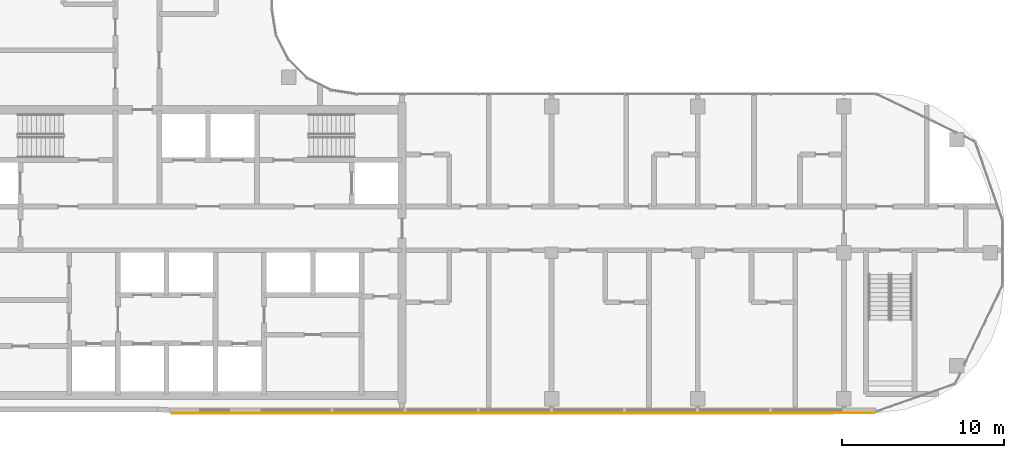
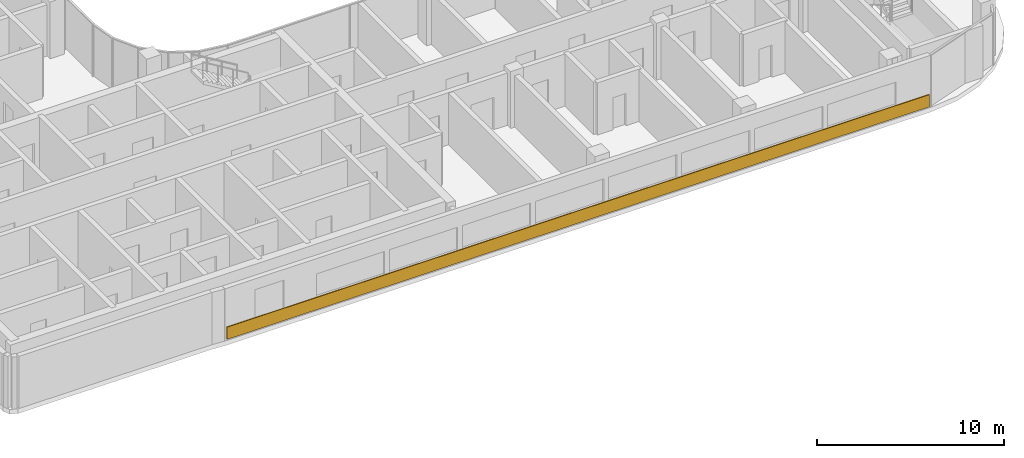
# One storey, part 19 of 20: 1 covering.
"""IFC4 building model written with IfcOpenShell, lengths in metres."""

from ifc_helpers import new_model, si_unit, direction, frame, origin, origin_2d, place, context, subcontext, project, spatial, rectangle, extrude, material, layer, layer_set, type_object, element, save


model = new_model("IFC4")

# Units and contexts
model_context = context("Model", 3, precision=1e-05, world=origin(), true_north=direction((0.0, 1.0)))
body_context = subcontext(model_context, "Body", "Model", "MODEL_VIEW")
ifc_project = project(units=[si_unit("LENGTHUNIT", "METRE"), si_unit("AREAUNIT", "SQUARE_METRE"), si_unit("VOLUMEUNIT", "CUBIC_METRE"), si_unit("PLANEANGLEUNIT", "RADIAN"), si_unit("MASSUNIT", "GRAM", prefix="KILO")], contexts=[model_context])

# Site, building, storey
site_placement = place(None, origin())
site = spatial("IfcSite", under=ifc_project, at=site_placement, CompositionType="ELEMENT")
building_placement = place(site_placement, origin())
building = spatial("IfcBuilding", under=site, at=building_placement, Name="Ogive Portal Towers", CompositionType="ELEMENT")
storey_placement = place(building_placement, frame((0.0, 0.0, 210.60009765625)))
storey = spatial("IfcBuildingStorey", under=building, at=storey_placement, Name="L52", CompositionType="ELEMENT", Elevation=210.60009765625)

# Covering
ifc_material = material(Name="Limestone cladding on lightweight block wall", Category="masonry")
ifc_layer = layer(ifc_material, 0.050048828125)
ifc_layer_set = layer_set([ifc_layer], Name="SCREEN PERFORATED STONE")
covering_type = type_object("IfcCoveringType", Name="SCREEN PERFORATED STONE", PredefinedType="CLADDING", material=ifc_layer_set)
covering_placement = place(storey_placement, frame((65.74853515625, 20.6201171875, 0.10009765625), z_axis=(0.0, 0.0, 1.0), x_axis=(1.0, 0.0, 0.0)))
element("IfcCovering", 1, at=covering_placement, inside=storey, type_object=covering_type, Name="Tracery screen", PredefinedType="CLADDING", context=body_context, shape_type="SweptSolid", body=[
    extrude(rectangle(XDim=43.275634765625, YDim=0.050048828125, at=origin_2d()), origin(), (0.0, 0.0, 1.0), 0.800048828125),
])

save(model, "model.ifc")
